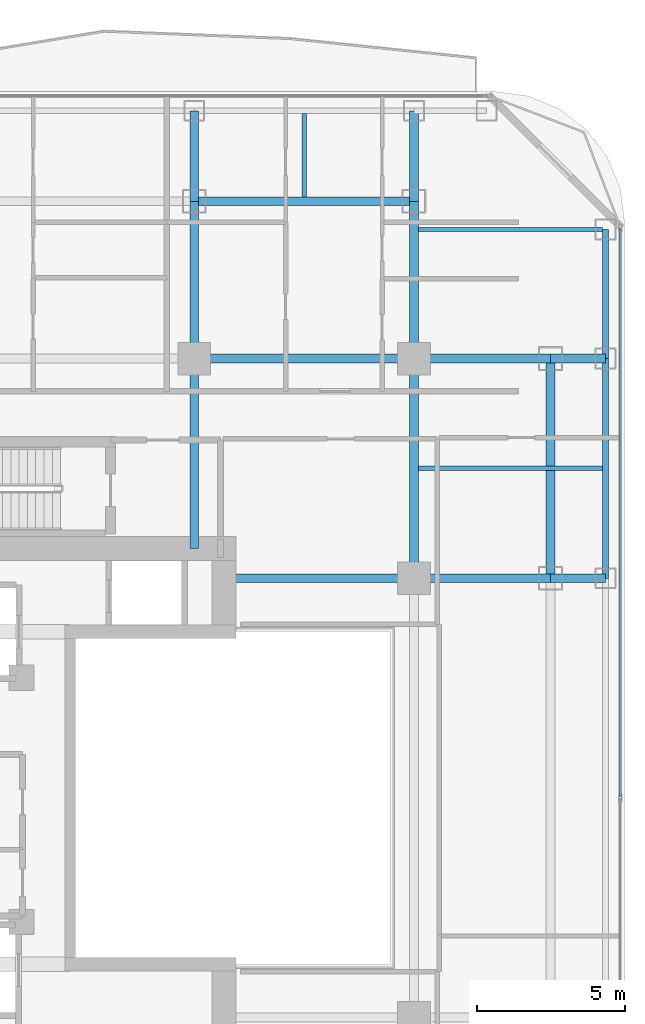
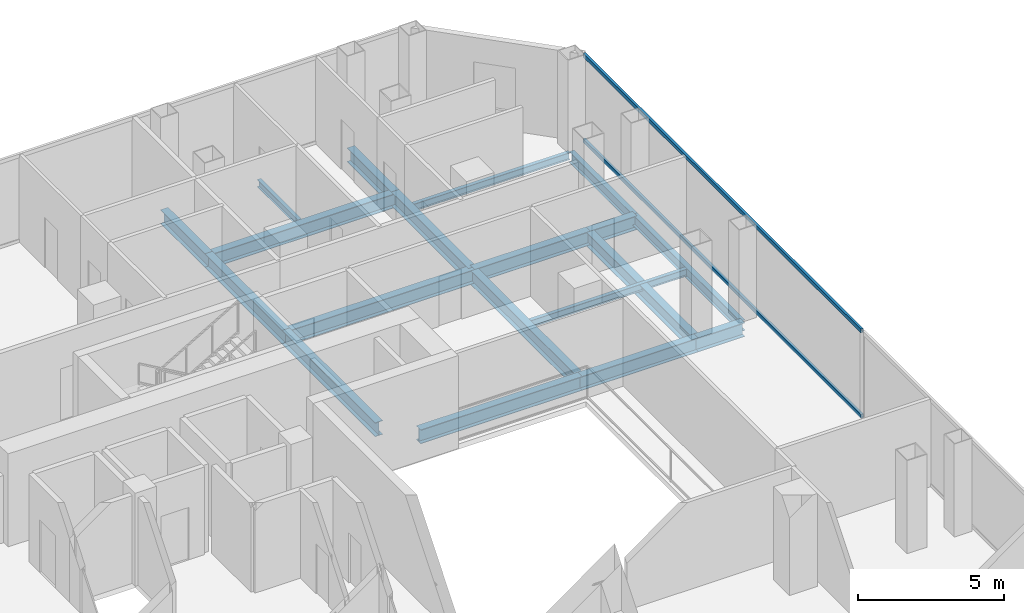
# One storey, part 15 of 27: 19 beams, 2 members, 1 element without a shape of its own.
"""IFC4 building model written with IfcOpenShell, lengths in metres."""

from ifc_helpers import new_model, si_unit, direction, frame, origin, origin_2d, place, context, subcontext, project, spatial, hollow_rectangle, i_section, extrude, material, layer, layer_set, material_profile, profile_set, type_object, element, aggregate, save


model = new_model("IFC4")

# Units and contexts
model_context = context("Model", 3, precision=1e-05, world=origin(), true_north=direction((0.0, 1.0)))
body_context = subcontext(model_context, "Body", "Model", "MODEL_VIEW")
ifc_project = project(units=[si_unit("LENGTHUNIT", "METRE"), si_unit("AREAUNIT", "SQUARE_METRE"), si_unit("VOLUMEUNIT", "CUBIC_METRE"), si_unit("PLANEANGLEUNIT", "RADIAN"), si_unit("MASSUNIT", "GRAM", prefix="KILO")], contexts=[model_context])

# Site, building, storey
site_placement = place(None, origin())
site = spatial("IfcSite", under=ifc_project, at=site_placement, CompositionType="ELEMENT")
building_placement = place(site_placement, origin())
building = spatial("IfcBuilding", under=site, at=building_placement, Name="Khorvyn Point Tower", CompositionType="ELEMENT")
storey_placement = place(building_placement, frame((0.0, 0.0, 179.699951171875)))
storey = spatial("IfcBuildingStorey", under=building, at=storey_placement, Name="L44", CompositionType="ELEMENT", Elevation=179.699951171875)

# Curtain wall, members
ifc_material_1 = material(Name="Anodised aluminium 6063-T6 and laminated Low-E glass", Category="aluminium")
ifc_layer = layer(ifc_material_1, 0.18994140625)
ifc_layer_set = layer_set([ifc_layer], Name="Stick-Built Acoustic Curtain Wall CW-SYS-03")
curtain_wall_type = type_object("IfcCurtainWallType", Name="Stick-Built Acoustic Curtain Wall CW-SYS-03", PredefinedType="NOTDEFINED", material=ifc_layer_set)
curtain_wall_placement = place(storey_placement, origin())
curtain_wall = element("IfcCurtainWall", 1, at=curtain_wall_placement, inside=storey, type_object=curtain_wall_type, Name="Curtain Wall", PredefinedType="NOTDEFINED")
ifc_material_2 = material(Name="Anodised aluminium 6063-T6", Category="aluminium")
ifc_material_profile_1 = material_profile(ifc_material_2, hollow_rectangle(XDim=0.10009765625, YDim=0.159912109375, WallThickness=0.00439453125, at=origin_2d()))
ifc_profile_set_1 = profile_set([ifc_material_profile_1], Name="Anodised aluminium 6063-T6 ALU-TRN-100x160")
member_type = type_object("IfcMemberType", Name="Anodised Aluminium 6063-T6 Transom ALU-TRN-100x160", PredefinedType="USERDEFINED", material=ifc_profile_set_1)
member_1_placement = place(storey_placement, frame((21.75, 19.14990234375, 0.050048828125), z_axis=(0.0, -1.0, 0.0), x_axis=(1.0, 0.0, 0.0)))
member_1 = element("IfcMember", 2, at=member_1_placement, type_object=member_type, Name="Transom", ObjectType="TRANSOM", PredefinedType="USERDEFINED", context=body_context, shape_type="SweptSolid", body=[
    extrude(hollow_rectangle(XDim=0.10009765625, YDim=0.159912109375, WallThickness=0.00439453125, at=origin_2d()), origin(), (0.0, 0.0, 1.0), 19.099853515625),
])
member_2_placement = place(storey_placement, frame((21.75, 19.14990234375, 3.630126953125), z_axis=(0.0, -1.0, 0.0), x_axis=(1.0, 0.0, 0.0)))
member_2 = element("IfcMember", 3, at=member_2_placement, type_object=member_type, Name="Transom", ObjectType="TRANSOM", PredefinedType="USERDEFINED", context=body_context, shape_type="SweptSolid", body=[
    extrude(hollow_rectangle(XDim=0.10009765625, YDim=0.159912109375, WallThickness=0.00439453125, at=origin_2d()), origin(), (0.0, 0.0, 1.0), 19.099853515625),
])
aggregate(curtain_wall, [member_1, member_2])

# Beams
ifc_material_3 = material(Name="Steel S355", Category="steel")
ifc_material_profile_2 = material_profile(ifc_material_3, i_section(OverallWidth=0.300048828125, OverallDepth=0.587890625, WebThickness=0.011962890625, FlangeThickness=0.02001953125, at=origin_2d()))
ifc_profile_set_2 = profile_set([ifc_material_profile_2], Name="Steel S355 H588x300x12x20")
beam_type_1 = type_object("IfcBeamType", Name="Steel S355 Beam H588x300x12x20", PredefinedType="BEAM", material=ifc_profile_set_2)
beam_1_placement = place(storey_placement, frame((7.39990234375, 14.800048828125, -0.513916015625), z_axis=(1.0, 0.0, 0.0), x_axis=(0.0, 1.0, 0.0)))
element("IfcBeam", 4, at=beam_1_placement, inside=storey, type_object=beam_type_1, Name="Beam", PredefinedType="BEAM", context=body_context, shape_type="SweptSolid", body=[
    extrude(i_section(OverallWidth=0.300048828125, OverallDepth=0.587890625, WebThickness=0.011962890625, FlangeThickness=0.02001953125, at=origin_2d()), origin(), (0.0, 0.0, 1.0), 7.400146484375),
])
beam_2_placement = place(storey_placement, frame((14.800048828125, 14.800048828125, -0.513916015625), z_axis=(1.0, 0.0, 0.0), x_axis=(0.0, 1.0, 0.0)))
element("IfcBeam", 5, at=beam_2_placement, inside=storey, type_object=beam_type_1, Name="Beam", PredefinedType="BEAM", context=body_context, shape_type="SweptSolid", body=[
    extrude(i_section(OverallWidth=0.300048828125, OverallDepth=0.587890625, WebThickness=0.011962890625, FlangeThickness=0.02001953125, at=origin_2d()), origin(), (0.0, 0.0, 1.0), 4.599853515625),
])
beam_3_placement = place(storey_placement, frame((19.39990234375, 14.800048828125, -0.513916015625), z_axis=(1.0, 0.0, 0.0), x_axis=(0.0, 1.0, 0.0)))
element("IfcBeam", 6, at=beam_3_placement, inside=storey, type_object=beam_type_1, Name="Beam", PredefinedType="BEAM", context=body_context, shape_type="SweptSolid", body=[
    extrude(i_section(OverallWidth=0.300048828125, OverallDepth=0.587890625, WebThickness=0.011962890625, FlangeThickness=0.02001953125, at=origin_2d()), origin(), (0.0, 0.0, 1.0), 1.85009765625),
])
beam_4_placement = place(storey_placement, frame((8.39990234375, 7.39990234375, -0.513916015625), z_axis=(1.0, 0.0, 0.0), x_axis=(0.0, 1.0, 0.0)))
element("IfcBeam", 7, at=beam_4_placement, inside=storey, type_object=beam_type_1, Name="Beam", PredefinedType="BEAM", context=body_context, shape_type="SweptSolid", body=[
    extrude(i_section(OverallWidth=0.300048828125, OverallDepth=0.587890625, WebThickness=0.011962890625, FlangeThickness=0.02001953125, at=origin_2d()), origin(), (0.0, 0.0, 1.0), 6.400146484375),
])
beam_5_placement = place(storey_placement, frame((14.800048828125, 7.39990234375, -0.513916015625), z_axis=(1.0, 0.0, 0.0), x_axis=(0.0, 1.0, 0.0)))
element("IfcBeam", 8, at=beam_5_placement, inside=storey, type_object=beam_type_1, Name="Beam", PredefinedType="BEAM", context=body_context, shape_type="SweptSolid", body=[
    extrude(i_section(OverallWidth=0.300048828125, OverallDepth=0.587890625, WebThickness=0.011962890625, FlangeThickness=0.02001953125, at=origin_2d()), origin(), (0.0, 0.0, 1.0), 4.599853515625),
])
beam_6_placement = place(storey_placement, frame((19.39990234375, 7.39990234375, -0.513916015625), z_axis=(1.0, 0.0, 0.0), x_axis=(0.0, 1.0, 0.0)))
element("IfcBeam", 9, at=beam_6_placement, inside=storey, type_object=beam_type_1, Name="Beam", PredefinedType="BEAM", context=body_context, shape_type="SweptSolid", body=[
    extrude(i_section(OverallWidth=0.300048828125, OverallDepth=0.587890625, WebThickness=0.011962890625, FlangeThickness=0.02001953125, at=origin_2d()), origin(), (0.0, 0.0, 1.0), 1.85009765625),
])
for number, where, z_axis, x_axis, name in (
    (10, (7.39990234375, 20.10009765625, -0.513916015625), (1.0, 0.0, 0.0), (0.0, 1.0, 0.0), "Beam"),
    (11, (14.800048828125, 7.39990234375, -0.513916015625), (0.0, 1.0, 0.0), (-1.0, 0.0, 0.0), "Beam"),
):
    element("IfcBeam", number, at=place(storey_placement, frame(where, z_axis=z_axis, x_axis=x_axis)), inside=storey, type_object=beam_type_1, Name=name, PredefinedType="BEAM", context=body_context, shape_type="SweptSolid", body=[
        extrude(i_section(OverallWidth=0.300048828125, OverallDepth=0.587890625, WebThickness=0.011962890625, FlangeThickness=0.02001953125, at=origin_2d()), origin(), (0.0, 0.0, 1.0), 7.400146484375),
    ])
beam_7_placement = place(storey_placement, frame((14.800048828125, 14.800048828125, -0.513916015625), z_axis=(0.0, 1.0, 0.0), x_axis=(-1.0, 0.0, 0.0)))
element("IfcBeam", 12, at=beam_7_placement, inside=storey, type_object=beam_type_1, Name="Beam", PredefinedType="BEAM", context=body_context, shape_type="SweptSolid", body=[
    extrude(i_section(OverallWidth=0.300048828125, OverallDepth=0.587890625, WebThickness=0.011962890625, FlangeThickness=0.02001953125, at=origin_2d()), origin(), (0.0, 0.0, 1.0), 5.300048828125),
])
beam_8_placement = place(storey_placement, frame((14.800048828125, 20.10009765625, -0.513916015625), z_axis=(0.0, 1.0, 0.0), x_axis=(-1.0, 0.0, 0.0)))
element("IfcBeam", 13, at=beam_8_placement, inside=storey, type_object=beam_type_1, Name="Beam", PredefinedType="BEAM", context=body_context, shape_type="SweptSolid", body=[
    extrude(i_section(OverallWidth=0.300048828125, OverallDepth=0.587890625, WebThickness=0.011962890625, FlangeThickness=0.02001953125, at=origin_2d()), origin(), (0.0, 0.0, 1.0), 3.0498046875),
])
beam_9_placement = place(storey_placement, frame((7.39990234375, 8.39990234375, -0.513916015625), z_axis=(0.0, 1.0, 0.0), x_axis=(-1.0, 0.0, 0.0)))
element("IfcBeam", 14, at=beam_9_placement, inside=storey, type_object=beam_type_1, Name="Beam", PredefinedType="BEAM", context=body_context, shape_type="SweptSolid", body=[
    extrude(i_section(OverallWidth=0.300048828125, OverallDepth=0.587890625, WebThickness=0.011962890625, FlangeThickness=0.02001953125, at=origin_2d()), origin(), (0.0, 0.0, 1.0), 6.400146484375),
])
beam_10_placement = place(storey_placement, frame((7.39990234375, 14.800048828125, -0.513916015625), z_axis=(0.0, 1.0, 0.0), x_axis=(-1.0, 0.0, 0.0)))
element("IfcBeam", 15, at=beam_10_placement, inside=storey, type_object=beam_type_1, Name="Beam", PredefinedType="BEAM", context=body_context, shape_type="SweptSolid", body=[
    extrude(i_section(OverallWidth=0.300048828125, OverallDepth=0.587890625, WebThickness=0.011962890625, FlangeThickness=0.02001953125, at=origin_2d()), origin(), (0.0, 0.0, 1.0), 5.300048828125),
])
beam_11_placement = place(storey_placement, frame((7.39990234375, 20.10009765625, -0.513916015625), z_axis=(0.0, 1.0, 0.0), x_axis=(-1.0, 0.0, 0.0)))
element("IfcBeam", 16, at=beam_11_placement, inside=storey, type_object=beam_type_1, Name="Beam", PredefinedType="BEAM", context=body_context, shape_type="SweptSolid", body=[
    extrude(i_section(OverallWidth=0.300048828125, OverallDepth=0.587890625, WebThickness=0.011962890625, FlangeThickness=0.02001953125, at=origin_2d()), origin(), (0.0, 0.0, 1.0), 3.0498046875),
])
beam_12_placement = place(storey_placement, frame((19.39990234375, 7.39990234375, -0.513916015625), z_axis=(0.0, 1.0, 0.0), x_axis=(-1.0, 0.0, 0.0)))
element("IfcBeam", 17, at=beam_12_placement, inside=storey, type_object=beam_type_1, Name="Beam", PredefinedType="BEAM", context=body_context, shape_type="SweptSolid", body=[
    extrude(i_section(OverallWidth=0.300048828125, OverallDepth=0.587890625, WebThickness=0.011962890625, FlangeThickness=0.02001953125, at=origin_2d()), origin(), (0.0, 0.0, 1.0), 7.400146484375),
])
ifc_material_profile_3 = material_profile(ifc_material_3, i_section(OverallWidth=0.14990234375, OverallDepth=0.300048828125, WebThickness=0.006591796875, FlangeThickness=0.009033203125, at=origin_2d()))
ifc_profile_set_3 = profile_set([ifc_material_profile_3], Name="Steel S355 H300x150x6.5x9")
beam_type_2 = type_object("IfcBeamType", Name="Steel S355 Joist H300x150x6.5x9", PredefinedType="JOIST", material=ifc_profile_set_3)
beam_13_placement = place(storey_placement, frame((14.949951171875, 11.10009765625, -0.369873046875), z_axis=(1.0, 0.0, 0.0), x_axis=(0.0, 1.0, 0.0)))
element("IfcBeam", 18, at=beam_13_placement, inside=storey, type_object=beam_type_2, Name="Beam", PredefinedType="JOIST", context=body_context, shape_type="SweptSolid", body=[
    extrude(i_section(OverallWidth=0.14990234375, OverallDepth=0.300048828125, WebThickness=0.006591796875, FlangeThickness=0.009033203125, at=origin_2d()), origin(), (0.0, 0.0, 1.0), 6.199951171875),
])
beam_14_placement = place(storey_placement, frame((11.10009765625, 20.25, -0.369873046875), z_axis=(0.0, 1.0, 0.0), x_axis=(-1.0, 0.0, 0.0)))
element("IfcBeam", 19, at=beam_14_placement, inside=storey, type_object=beam_type_2, Name="Beam", PredefinedType="JOIST", context=body_context, shape_type="SweptSolid", body=[
    extrude(i_section(OverallWidth=0.14990234375, OverallDepth=0.300048828125, WebThickness=0.006591796875, FlangeThickness=0.009033203125, at=origin_2d()), origin(), (0.0, 0.0, 1.0), 2.800048828125),
])
beam_15_placement = place(storey_placement, frame((14.949951171875, 19.14990234375, -0.369873046875), z_axis=(1.0, 0.0, 0.0), x_axis=(0.0, 1.0, 0.0)))
element("IfcBeam", 20, at=beam_15_placement, inside=storey, type_object=beam_type_2, Name="Beam", PredefinedType="JOIST", context=body_context, shape_type="SweptSolid", body=[
    extrude(i_section(OverallWidth=0.14990234375, OverallDepth=0.300048828125, WebThickness=0.006591796875, FlangeThickness=0.009033203125, at=origin_2d()), origin(), (0.0, 0.0, 1.0), 6.199951171875),
])
ifc_material_profile_4 = material_profile(ifc_material_3, i_section(OverallWidth=0.199951171875, OverallDepth=0.449951171875, WebThickness=0.009033203125, FlangeThickness=0.013916015625, at=origin_2d()))
ifc_profile_set_4 = profile_set([ifc_material_profile_4], Name="Steel S355 H450x200x9x14")
beam_type_3 = type_object("IfcBeamType", Name="Steel S355 Spandrel H450x200x9x14", PredefinedType="SPANDREL", material=ifc_profile_set_4)
beam_16_placement = place(storey_placement, frame((21.25, 7.39990234375, -0.445068359375), z_axis=(0.0, 1.0, 0.0), x_axis=(-1.0, 0.0, 0.0)))
element("IfcBeam", 21, at=beam_16_placement, inside=storey, type_object=beam_type_3, Name="Beam", PredefinedType="SPANDREL", context=body_context, shape_type="SweptSolid", body=[
    extrude(i_section(OverallWidth=0.199951171875, OverallDepth=0.449951171875, WebThickness=0.009033203125, FlangeThickness=0.013916015625, at=origin_2d()), origin(), (0.0, 0.0, 1.0), 7.400146484375),
])
beam_17_placement = place(storey_placement, frame((21.25, 14.800048828125, -0.445068359375), z_axis=(0.0, 1.0, 0.0), x_axis=(-1.0, 0.0, 0.0)))
element("IfcBeam", 22, at=beam_17_placement, inside=storey, type_object=beam_type_3, Name="Beam", PredefinedType="SPANDREL", context=body_context, shape_type="SweptSolid", body=[
    extrude(i_section(OverallWidth=0.199951171875, OverallDepth=0.449951171875, WebThickness=0.009033203125, FlangeThickness=0.013916015625, at=origin_2d()), origin(), (0.0, 0.0, 1.0), 4.349853515625),
])

save(model, "model.ifc")
